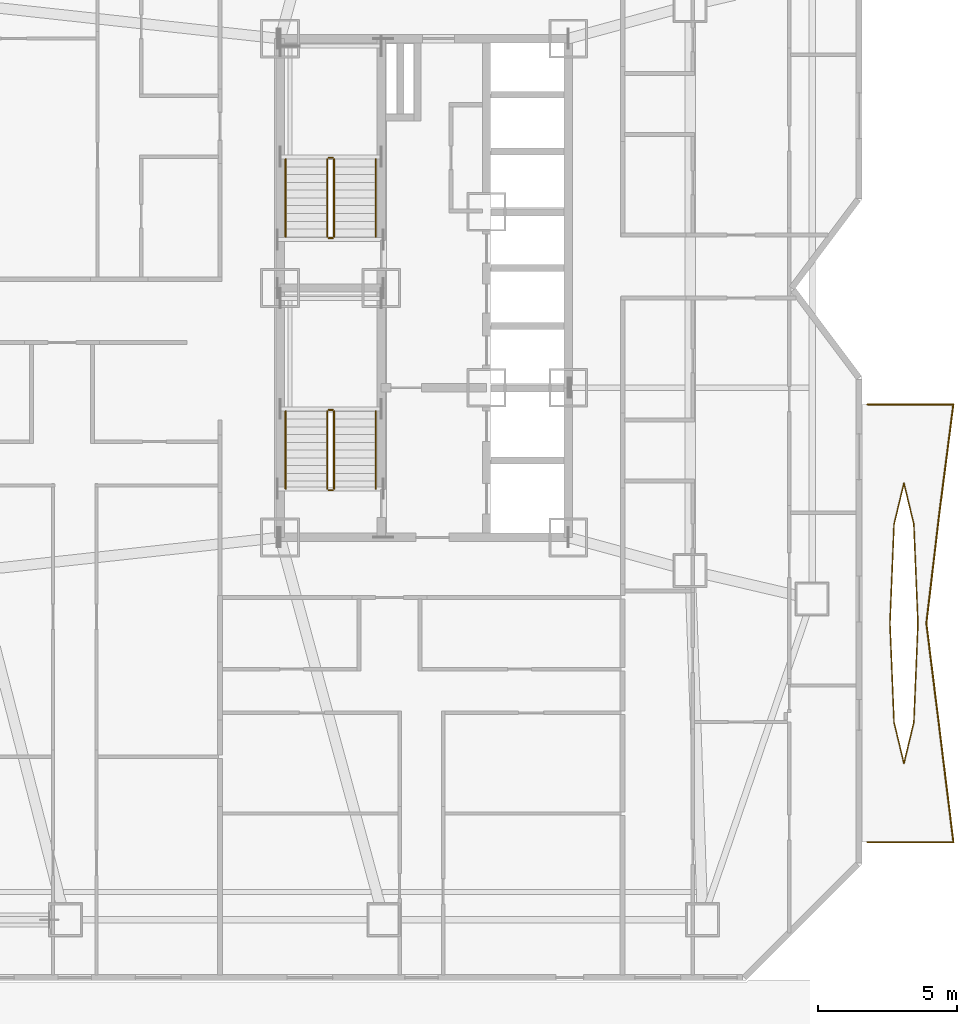
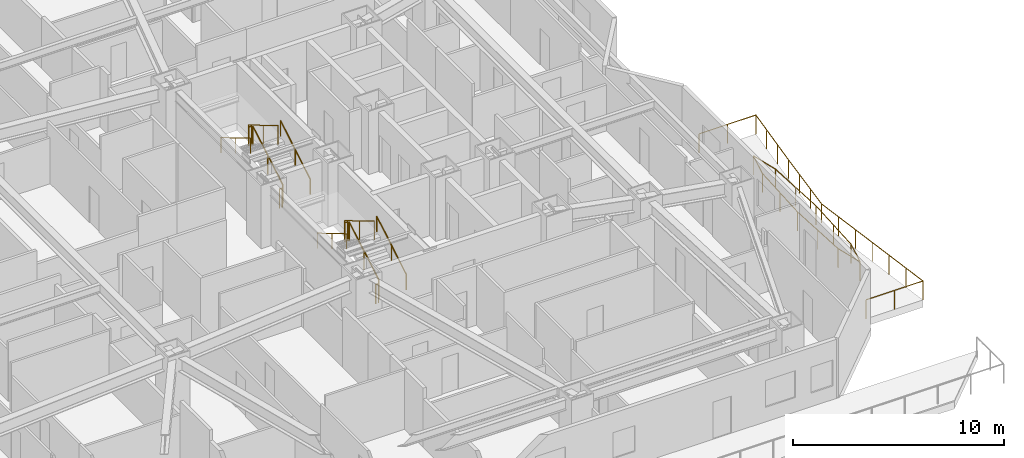
# One storey, part 17 of 18: 16 railings.
"""IFC4 building model written with IfcOpenShell, lengths in metres."""

from ifc_helpers import new_model, si_unit, direction, frame, origin, origin_2d, place, context, subcontext, project, spatial, circle, extrude, material, type_object, element, save


model = new_model("IFC4")

# Units and contexts
model_context = context("Model", 3, precision=1e-05, world=origin(), true_north=direction((0.0, 1.0)))
body_context = subcontext(model_context, "Body", "Model", "MODEL_VIEW")
ifc_project = project(units=[si_unit("LENGTHUNIT", "METRE"), si_unit("AREAUNIT", "SQUARE_METRE"), si_unit("VOLUMEUNIT", "CUBIC_METRE"), si_unit("PLANEANGLEUNIT", "RADIAN"), si_unit("MASSUNIT", "GRAM", prefix="KILO")], contexts=[model_context])

# Site, building, storey
site_placement = place(None, origin())
site = spatial("IfcSite", under=ifc_project, at=site_placement, CompositionType="ELEMENT")
building_placement = place(site_placement, origin())
building = spatial("IfcBuilding", under=site, at=building_placement, Name="Khamvora Tower", CompositionType="ELEMENT")
storey_placement = place(building_placement, frame((0.0, 0.0, 33.300048828125)))
storey = spatial("IfcBuildingStorey", under=building, at=storey_placement, Name="L07", CompositionType="ELEMENT", Elevation=33.300048828125)

# Railings
ifc_material_1 = material(Name="Stainless Steel 316 and Laminated Glass", Category="steel")
railing_type_1 = type_object("IfcRailingType", Name="RAL-GAL-1120", PredefinedType="GUARDRAIL", material=ifc_material_1)
railing_1_placement = place(storey_placement, frame((50.199951171875, 8.0, 0.0)))
element("IfcRailing", 1, at=railing_1_placement, inside=storey, type_object=railing_type_1, Name="L07 lens gallery south perimeter guardrail EL1", PredefinedType="GUARDRAIL", context=body_context, shape_type="SweptSolid", body=[
    extrude(circle(Radius=0.02392578125, at=origin_2d()), frame((0.0, 0.0, 1.09619140625), z_axis=(1.0, 0.0, 0.0), x_axis=(0.0, 1.0, 0.0)), (0.0, 0.0, 1.0), 3.10009765625),
    extrude(circle(Radius=0.02392578125, at=origin_2d()), frame((3.10009765625, 0.0, 1.09619140625), z_axis=(-0.12189766322, 0.992542673995, 0.0), x_axis=(-0.992542673995, -0.12189766322, 0.0)), (0.0, 0.0, 1.0), 3.979736328125),
    extrude(circle(Radius=0.02392578125, at=origin_2d()), frame((2.614990234375, 3.949951171875, 1.09619140625), z_axis=(-0.123106111701, 0.992393513311, 0.0), x_axis=(-0.992393513311, -0.123106111701, 0.0)), (0.0, 0.0, 1.0), 3.980224609375),
    extrude(circle(Radius=0.02099609375, at=origin_2d()), origin(), (0.0, 0.0, 1.0), 1.072021484375),
    extrude(circle(Radius=0.02099609375, at=origin_2d()), frame((1.550048828125, 0.0, 0.0)), (0.0, 0.0, 1.0), 1.072021484375),
    extrude(circle(Radius=0.02099609375, at=origin_2d()), frame((3.10009765625, 0.0, 0.0)), (0.0, 0.0, 1.0), 1.072021484375),
    extrude(circle(Radius=0.02099609375, at=origin_2d()), frame((2.9384765625, 1.316650390625, 0.0)), (0.0, 0.0, 1.0), 1.072021484375),
    extrude(circle(Radius=0.02099609375, at=origin_2d()), frame((2.776611328125, 2.63330078125, 0.0)), (0.0, 0.0, 1.0), 1.072021484375),
    extrude(circle(Radius=0.02099609375, at=origin_2d()), frame((2.614990234375, 3.949951171875, 0.0)), (0.0, 0.0, 1.0), 1.072021484375),
    extrude(circle(Radius=0.02099609375, at=origin_2d()), frame((2.45166015625, 5.2666015625, 0.0)), (0.0, 0.0, 1.0), 1.072021484375),
    extrude(circle(Radius=0.02099609375, at=origin_2d()), frame((2.288330078125, 6.583251953125, 0.0)), (0.0, 0.0, 1.0), 1.072021484375),
    extrude(circle(Radius=0.02099609375, at=origin_2d()), frame((2.125, 7.89990234375, 0.0)), (0.0, 0.0, 1.0), 1.072021484375),
])
railing_2_placement = place(storey_placement, frame((52.324951171875, 15.89990234375, 0.0)))
element("IfcRailing", 2, at=railing_2_placement, inside=storey, type_object=railing_type_1, Name="L07 lens gallery north perimeter guardrail EL1", PredefinedType="GUARDRAIL", context=body_context, shape_type="SweptSolid", body=[
    extrude(circle(Radius=0.02392578125, at=origin_2d()), frame((0.0, 0.0, 1.09619140625), z_axis=(0.117172436077, 0.993111584981, 0.0), x_axis=(-0.993111584981, 0.117172436077, 0.0)), (0.0, 0.0, 1.0), 3.9775390625),
    extrude(circle(Radius=0.02392578125, at=origin_2d()), frame((0.466064453125, 3.9501953125, 1.09619140625), z_axis=(0.127572572212, 0.99182923874, 0.0), x_axis=(-0.99182923874, 0.127572572212, 0.0)), (0.0, 0.0, 1.0), 3.982421875),
    extrude(circle(Radius=0.02392578125, at=origin_2d()), frame((0.97412109375, 7.900146484375, 1.09619140625), z_axis=(-1.0, 0.0, 0.0), x_axis=(0.0, -1.0, 0.0)), (0.0, 0.0, 1.0), 3.09912109375),
    extrude(circle(Radius=0.02099609375, at=origin_2d()), origin(), (0.0, 0.0, 1.0), 1.072021484375),
    extrude(circle(Radius=0.02099609375, at=origin_2d()), frame((0.1552734375, 1.316650390625, 0.0)), (0.0, 0.0, 1.0), 1.072021484375),
    extrude(circle(Radius=0.02099609375, at=origin_2d()), frame((0.310791015625, 2.633544921875, 0.0)), (0.0, 0.0, 1.0), 1.072021484375),
    extrude(circle(Radius=0.02099609375, at=origin_2d()), frame((0.466064453125, 3.9501953125, 0.0)), (0.0, 0.0, 1.0), 1.072021484375),
    extrude(circle(Radius=0.02099609375, at=origin_2d()), frame((0.635498046875, 5.266845703125, 0.0)), (0.0, 0.0, 1.0), 1.072021484375),
    extrude(circle(Radius=0.02099609375, at=origin_2d()), frame((0.8046875, 6.58349609375, 0.0)), (0.0, 0.0, 1.0), 1.072021484375),
    extrude(circle(Radius=0.02099609375, at=origin_2d()), frame((0.97412109375, 7.900146484375, 0.0)), (0.0, 0.0, 1.0), 1.072021484375),
    extrude(circle(Radius=0.02099609375, at=origin_2d()), frame((-0.575439453125, 7.900146484375, 0.0)), (0.0, 0.0, 1.0), 1.072021484375),
    extrude(circle(Radius=0.02099609375, at=origin_2d()), frame((-2.125, 7.900146484375, 0.0)), (0.0, 0.0, 1.0), 1.072021484375),
])
railing_3_placement = place(storey_placement, frame((52.01904296875, 15.89990234375, 0.0)))
element("IfcRailing", 3, at=railing_3_placement, inside=storey, type_object=railing_type_1, Name="L07 lens gallery void guardrail EL1A", PredefinedType="GUARDRAIL", context=body_context, shape_type="SweptSolid", body=[
    extrude(circle(Radius=0.02392578125, at=origin_2d()), frame((0.0, 0.0, 1.09619140625), z_axis=(-0.041346748408, 0.999144857564, 0.0), x_axis=(-0.999144857564, -0.041346748408, 0.0)), (0.0, 0.0, 1.0), 3.578369140625),
    extrude(circle(Radius=0.02392578125, at=origin_2d()), frame((-0.14794921875, 3.5751953125, 1.09619140625), z_axis=(-0.233851831104, 0.972272246384, 0.0), x_axis=(-0.972272246384, -0.233851831104, 0.0)), (0.0, 0.0, 1.0), 1.523193359375),
    extrude(circle(Radius=0.02392578125, at=origin_2d()), frame((-0.504150390625, 5.05615234375, 1.09619140625), z_axis=(-0.233700305622, -0.972308678945, 0.0), x_axis=(0.972308678945, -0.233700305622, 0.0)), (0.0, 0.0, 1.0), 1.523193359375),
    extrude(circle(Radius=0.02392578125, at=origin_2d()), frame((-0.860107421875, 3.5751953125, 1.09619140625), z_axis=(-0.041346748408, -0.999144857564, 0.0), x_axis=(0.999144857564, -0.041346748408, 0.0)), (0.0, 0.0, 1.0), 3.578369140625),
    extrude(circle(Radius=0.02099609375, at=origin_2d()), origin(), (0.0, 0.0, 1.0), 1.072021484375),
    extrude(circle(Radius=0.02099609375, at=origin_2d()), frame((-0.073974609375, 1.78759765625, 0.0)), (0.0, 0.0, 1.0), 1.072021484375),
    extrude(circle(Radius=0.02099609375, at=origin_2d()), frame((-0.14794921875, 3.5751953125, 0.0)), (0.0, 0.0, 1.0), 1.072021484375),
    extrude(circle(Radius=0.02099609375, at=origin_2d()), frame((-0.504150390625, 5.05615234375, 0.0)), (0.0, 0.0, 1.0), 1.072021484375),
    extrude(circle(Radius=0.02099609375, at=origin_2d()), frame((-0.860107421875, 3.5751953125, 0.0)), (0.0, 0.0, 1.0), 1.072021484375),
    extrude(circle(Radius=0.02099609375, at=origin_2d()), frame((-0.93408203125, 1.78759765625, 0.0)), (0.0, 0.0, 1.0), 1.072021484375),
    extrude(circle(Radius=0.02099609375, at=origin_2d()), frame((-1.008056640625, 0.0, 0.0)), (0.0, 0.0, 1.0), 1.072021484375),
])
railing_4_placement = place(storey_placement, frame((51.010986328125, 15.89990234375, 0.0)))
element("IfcRailing", 4, at=railing_4_placement, inside=storey, type_object=railing_type_1, Name="L07 lens gallery void guardrail EL1B", PredefinedType="GUARDRAIL", context=body_context, shape_type="SweptSolid", body=[
    extrude(circle(Radius=0.02392578125, at=origin_2d()), frame((0.0, 0.0, 1.09619140625), z_axis=(0.041349567233, -0.999144740911, 0.0), x_axis=(0.999144740911, 0.041349567233, 0.0)), (0.0, 0.0, 1.0), 3.578125),
    extrude(circle(Radius=0.02392578125, at=origin_2d()), frame((0.14794921875, -3.574951171875, 1.09619140625), z_axis=(0.233700305622, -0.972308678945, 0.0), x_axis=(0.972308678945, 0.233700305622, 0.0)), (0.0, 0.0, 1.0), 1.523193359375),
    extrude(circle(Radius=0.02392578125, at=origin_2d()), frame((0.50390625, -5.055908203125, 1.09619140625), z_axis=(0.233851831104, 0.972272246384, 0.0), x_axis=(-0.972272246384, 0.233851831104, 0.0)), (0.0, 0.0, 1.0), 1.523193359375),
    extrude(circle(Radius=0.02392578125, at=origin_2d()), frame((0.860107421875, -3.574951171875, 1.09619140625), z_axis=(0.041349567233, 0.999144740911, 0.0), x_axis=(-0.999144740911, 0.041349567233, 0.0)), (0.0, 0.0, 1.0), 3.578125),
    extrude(circle(Radius=0.02099609375, at=origin_2d()), origin(), (0.0, 0.0, 1.0), 1.072021484375),
    extrude(circle(Radius=0.02099609375, at=origin_2d()), frame((0.073974609375, -1.78759765625, 0.0)), (0.0, 0.0, 1.0), 1.072021484375),
    extrude(circle(Radius=0.02099609375, at=origin_2d()), frame((0.14794921875, -3.574951171875, 0.0)), (0.0, 0.0, 1.0), 1.072021484375),
    extrude(circle(Radius=0.02099609375, at=origin_2d()), frame((0.50390625, -5.055908203125, 0.0)), (0.0, 0.0, 1.0), 1.072021484375),
    extrude(circle(Radius=0.02099609375, at=origin_2d()), frame((0.860107421875, -3.574951171875, 0.0)), (0.0, 0.0, 1.0), 1.072021484375),
    extrude(circle(Radius=0.02099609375, at=origin_2d()), frame((0.93408203125, -1.78759765625, 0.0)), (0.0, 0.0, 1.0), 1.072021484375),
    extrude(circle(Radius=0.02099609375, at=origin_2d()), frame((1.008056640625, 0.0, 0.0)), (0.0, 0.0, 1.0), 1.072021484375),
])
ifc_material_2 = material(Name="Brushed Stainless Steel 316", Category="steel")
railing_type_2 = type_object("IfcRailingType", Name="RAL-HDR-920", PredefinedType="HANDRAIL", material=ifc_material_2)
railing_5_placement = place(storey_placement, frame((32.449951171875, 20.75, 0.165771484375)))
element("IfcRailing", 5, at=railing_5_placement, inside=storey, type_object=railing_type_2, Name="L07 ST-01 stair handrail 1", PredefinedType="HANDRAIL", context=body_context, shape_type="SweptSolid", body=[
    extrude(circle(Radius=0.02392578125, at=origin_2d()), frame((0.0, 0.0, 0.8759765625), z_axis=(0.0, 0.860306154799, 0.50977771628), x_axis=(-1.0, 0.0, 0.0)), (0.0, 0.0, 1.0), 3.254638671875),
    extrude(circle(Radius=0.02099609375, at=origin_2d()), origin(), (0.0, 0.0, 1.0), 0.851806640625),
    extrude(circle(Radius=0.02099609375, at=origin_2d()), frame((0.0, 1.39990234375, 0.82958984375)), (0.0, 0.0, 1.0), 0.851806640625),
    extrude(circle(Radius=0.02099609375, at=origin_2d()), frame((0.0, 2.800048828125, 1.6591796875)), (0.0, 0.0, 1.0), 0.851806640625),
])
railing_6_placement = place(storey_placement, frame((29.199951171875, 23.550048828125, 1.990966796875)))
element("IfcRailing", 6, at=railing_6_placement, inside=storey, type_object=railing_type_2, Name="L07 ST-01 stair handrail 2", PredefinedType="HANDRAIL", context=body_context, shape_type="SweptSolid", body=[
    extrude(circle(Radius=0.02392578125, at=origin_2d()), frame((0.0, 0.0, 0.8759765625), z_axis=(0.0, -0.860339051648, 0.50972219513), x_axis=(1.0, 0.0, 0.0)), (0.0, 0.0, 1.0), 3.254638671875),
    extrude(circle(Radius=0.02099609375, at=origin_2d()), origin(), (0.0, 0.0, 1.0), 0.851806640625),
    extrude(circle(Radius=0.02099609375, at=origin_2d()), frame((0.0, -1.39990234375, 0.82958984375)), (0.0, 0.0, 1.0), 0.851806640625),
    extrude(circle(Radius=0.02099609375, at=origin_2d()), frame((0.0, -2.800048828125, 1.658935546875)), (0.0, 0.0, 1.0), 0.851806640625),
])
railing_7_placement = place(storey_placement, frame((32.449951171875, 29.85009765625, 0.165771484375)))
element("IfcRailing", 7, at=railing_7_placement, inside=storey, type_object=railing_type_2, Name="L07 ST-02 stair handrail 1", PredefinedType="HANDRAIL", context=body_context, shape_type="SweptSolid", body=[
    extrude(circle(Radius=0.02392578125, at=origin_2d()), frame((0.0, 0.0, 0.8759765625), z_axis=(0.0, 0.860286659441, 0.509810615413), x_axis=(-1.0, 0.0, 0.0)), (0.0, 0.0, 1.0), 3.25439453125),
    extrude(circle(Radius=0.02099609375, at=origin_2d()), origin(), (0.0, 0.0, 1.0), 0.851806640625),
    extrude(circle(Radius=0.02099609375, at=origin_2d()), frame((0.0, 1.39990234375, 0.82958984375)), (0.0, 0.0, 1.0), 0.851806640625),
    extrude(circle(Radius=0.02099609375, at=origin_2d()), frame((0.0, 2.7998046875, 1.6591796875)), (0.0, 0.0, 1.0), 0.851806640625),
])
railing_8_placement = place(storey_placement, frame((29.199951171875, 32.64990234375, 1.990966796875)))
element("IfcRailing", 8, at=railing_8_placement, inside=storey, type_object=railing_type_2, Name="L07 ST-02 stair handrail 2", PredefinedType="HANDRAIL", context=body_context, shape_type="SweptSolid", body=[
    extrude(circle(Radius=0.02392578125, at=origin_2d()), frame((0.0, 0.0, 0.8759765625), z_axis=(0.0, -0.860319559791, 0.509755093197), x_axis=(1.0, 0.0, 0.0)), (0.0, 0.0, 1.0), 3.25439453125),
    extrude(circle(Radius=0.02099609375, at=origin_2d()), origin(), (0.0, 0.0, 1.0), 0.851806640625),
    extrude(circle(Radius=0.02099609375, at=origin_2d()), frame((0.0, -1.39990234375, 0.82958984375)), (0.0, 0.0, 1.0), 0.851806640625),
    extrude(circle(Radius=0.02099609375, at=origin_2d()), frame((0.0, -2.7998046875, 1.658935546875)), (0.0, 0.0, 1.0), 0.851806640625),
])
ifc_material_3 = material(Name="Stainless Steel 316", Category="steel")
railing_type_3 = type_object("IfcRailingType", Name="RAL-STG-1100", PredefinedType="GUARDRAIL", material=ifc_material_3)
railing_9_placement = place(storey_placement, frame((30.949951171875, 20.75, 0.165771484375)))
element("IfcRailing", 9, at=railing_9_placement, inside=storey, type_object=railing_type_3, Name="L07 ST-01 stair guard 1", PredefinedType="GUARDRAIL", context=body_context, shape_type="SweptSolid", body=[
    extrude(circle(Radius=0.02392578125, at=origin_2d()), frame((0.0, 0.0, 1.076171875), z_axis=(0.0, 0.860306154799, 0.50977771628), x_axis=(-1.0, 0.0, 0.0)), (0.0, 0.0, 1.0), 3.254638671875),
    extrude(circle(Radius=0.02099609375, at=origin_2d()), origin(), (0.0, 0.0, 1.0), 1.052001953125),
    extrude(circle(Radius=0.02099609375, at=origin_2d()), frame((0.0, 1.39990234375, 0.82958984375)), (0.0, 0.0, 1.0), 1.052001953125),
    extrude(circle(Radius=0.02099609375, at=origin_2d()), frame((0.0, 2.800048828125, 1.6591796875)), (0.0, 0.0, 1.0), 1.052001953125),
])
railing_10_placement = place(storey_placement, frame((30.89990234375, 23.60009765625, 1.824951171875)))
element("IfcRailing", 10, at=railing_10_placement, inside=storey, type_object=railing_type_3, Name="L07 ST-01 stair guard 2", PredefinedType="GUARDRAIL", context=body_context, shape_type="SweptSolid", body=[
    extrude(circle(Radius=0.02392578125, at=origin_2d()), frame((0.0, 0.0, 1.076171875), z_axis=(-1.0, 0.0, 0.0), x_axis=(0.0, -1.0, 0.0)), (0.0, 0.0, 1.0), 0.14990234375),
    extrude(circle(Radius=0.02099609375, at=origin_2d()), origin(), (0.0, 0.0, 1.0), 1.052001953125),
    extrude(circle(Radius=0.02099609375, at=origin_2d()), frame((-0.14990234375, 0.0, 0.0)), (0.0, 0.0, 1.0), 1.052001953125),
])
railing_11_placement = place(storey_placement, frame((30.699951171875, 23.550048828125, 1.990966796875)))
element("IfcRailing", 11, at=railing_11_placement, inside=storey, type_object=railing_type_3, Name="L07 ST-01 stair guard 3", PredefinedType="GUARDRAIL", context=body_context, shape_type="SweptSolid", body=[
    extrude(circle(Radius=0.02392578125, at=origin_2d()), frame((0.0, 0.0, 1.076171875), z_axis=(0.0, -0.860339051648, 0.50972219513), x_axis=(1.0, 0.0, 0.0)), (0.0, 0.0, 1.0), 3.254638671875),
    extrude(circle(Radius=0.02099609375, at=origin_2d()), origin(), (0.0, 0.0, 1.0), 1.052001953125),
    extrude(circle(Radius=0.02099609375, at=origin_2d()), frame((0.0, -1.39990234375, 0.82958984375)), (0.0, 0.0, 1.0), 1.052001953125),
    extrude(circle(Radius=0.02099609375, at=origin_2d()), frame((0.0, -2.800048828125, 1.658935546875)), (0.0, 0.0, 1.0), 1.052001953125),
])
railing_12_placement = place(storey_placement, frame((30.89990234375, 20.699951171875, 0.0)))
element("IfcRailing", 12, at=railing_12_placement, inside=storey, type_object=railing_type_3, Name="L07 ST-01 stair guard 4", PredefinedType="GUARDRAIL", context=body_context, shape_type="SweptSolid", body=[
    extrude(circle(Radius=0.02392578125, at=origin_2d()), frame((0.0, 0.0, 1.076171875), z_axis=(-1.0, 0.0, 0.0), x_axis=(0.0, -1.0, 0.0)), (0.0, 0.0, 1.0), 0.14990234375),
    extrude(circle(Radius=0.02099609375, at=origin_2d()), origin(), (0.0, 0.0, 1.0), 1.052001953125),
    extrude(circle(Radius=0.02099609375, at=origin_2d()), frame((-0.14990234375, 0.0, 0.0)), (0.0, 0.0, 1.0), 1.052001953125),
])
railing_13_placement = place(storey_placement, frame((30.949951171875, 29.85009765625, 0.165771484375)))
element("IfcRailing", 13, at=railing_13_placement, inside=storey, type_object=railing_type_3, Name="L07 ST-02 stair guard 1", PredefinedType="GUARDRAIL", context=body_context, shape_type="SweptSolid", body=[
    extrude(circle(Radius=0.02392578125, at=origin_2d()), frame((0.0, 0.0, 1.076171875), z_axis=(0.0, 0.860286659441, 0.509810615413), x_axis=(-1.0, 0.0, 0.0)), (0.0, 0.0, 1.0), 3.25439453125),
    extrude(circle(Radius=0.02099609375, at=origin_2d()), origin(), (0.0, 0.0, 1.0), 1.052001953125),
    extrude(circle(Radius=0.02099609375, at=origin_2d()), frame((0.0, 1.39990234375, 0.82958984375)), (0.0, 0.0, 1.0), 1.052001953125),
    extrude(circle(Radius=0.02099609375, at=origin_2d()), frame((0.0, 2.7998046875, 1.6591796875)), (0.0, 0.0, 1.0), 1.052001953125),
])
railing_14_placement = place(storey_placement, frame((30.89990234375, 32.699951171875, 1.824951171875)))
element("IfcRailing", 14, at=railing_14_placement, inside=storey, type_object=railing_type_3, Name="L07 ST-02 stair guard 2", PredefinedType="GUARDRAIL", context=body_context, shape_type="SweptSolid", body=[
    extrude(circle(Radius=0.02392578125, at=origin_2d()), frame((0.0, 0.0, 1.076171875), z_axis=(-1.0, 0.0, 0.0), x_axis=(0.0, -1.0, 0.0)), (0.0, 0.0, 1.0), 0.14990234375),
    extrude(circle(Radius=0.02099609375, at=origin_2d()), origin(), (0.0, 0.0, 1.0), 1.052001953125),
    extrude(circle(Radius=0.02099609375, at=origin_2d()), frame((-0.14990234375, 0.0, 0.0)), (0.0, 0.0, 1.0), 1.052001953125),
])
railing_15_placement = place(storey_placement, frame((30.699951171875, 32.64990234375, 1.990966796875)))
element("IfcRailing", 15, at=railing_15_placement, inside=storey, type_object=railing_type_3, Name="L07 ST-02 stair guard 3", PredefinedType="GUARDRAIL", context=body_context, shape_type="SweptSolid", body=[
    extrude(circle(Radius=0.02392578125, at=origin_2d()), frame((0.0, 0.0, 1.076171875), z_axis=(0.0, -0.860319559791, 0.509755093197), x_axis=(1.0, 0.0, 0.0)), (0.0, 0.0, 1.0), 3.25439453125),
    extrude(circle(Radius=0.02099609375, at=origin_2d()), origin(), (0.0, 0.0, 1.0), 1.052001953125),
    extrude(circle(Radius=0.02099609375, at=origin_2d()), frame((0.0, -1.39990234375, 0.82958984375)), (0.0, 0.0, 1.0), 1.052001953125),
    extrude(circle(Radius=0.02099609375, at=origin_2d()), frame((0.0, -2.7998046875, 1.658935546875)), (0.0, 0.0, 1.0), 1.052001953125),
])
railing_16_placement = place(storey_placement, frame((30.89990234375, 29.800048828125, 0.0)))
element("IfcRailing", 16, at=railing_16_placement, inside=storey, type_object=railing_type_3, Name="L07 ST-02 stair guard 4", PredefinedType="GUARDRAIL", context=body_context, shape_type="SweptSolid", body=[
    extrude(circle(Radius=0.02392578125, at=origin_2d()), frame((0.0, 0.0, 1.076171875), z_axis=(-1.0, 0.0, 0.0), x_axis=(0.0, -1.0, 0.0)), (0.0, 0.0, 1.0), 0.14990234375),
    extrude(circle(Radius=0.02099609375, at=origin_2d()), origin(), (0.0, 0.0, 1.0), 1.052001953125),
    extrude(circle(Radius=0.02099609375, at=origin_2d()), frame((-0.14990234375, 0.0, 0.0)), (0.0, 0.0, 1.0), 1.052001953125),
])

save(model, "model.ifc")
